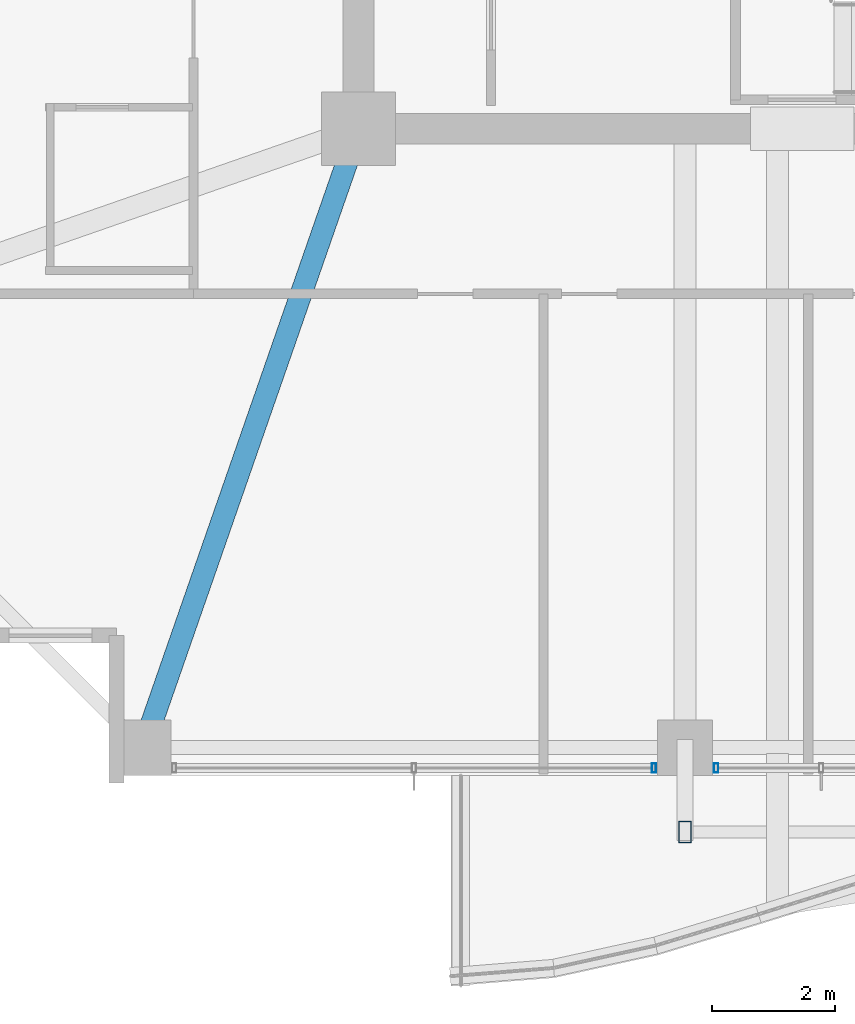
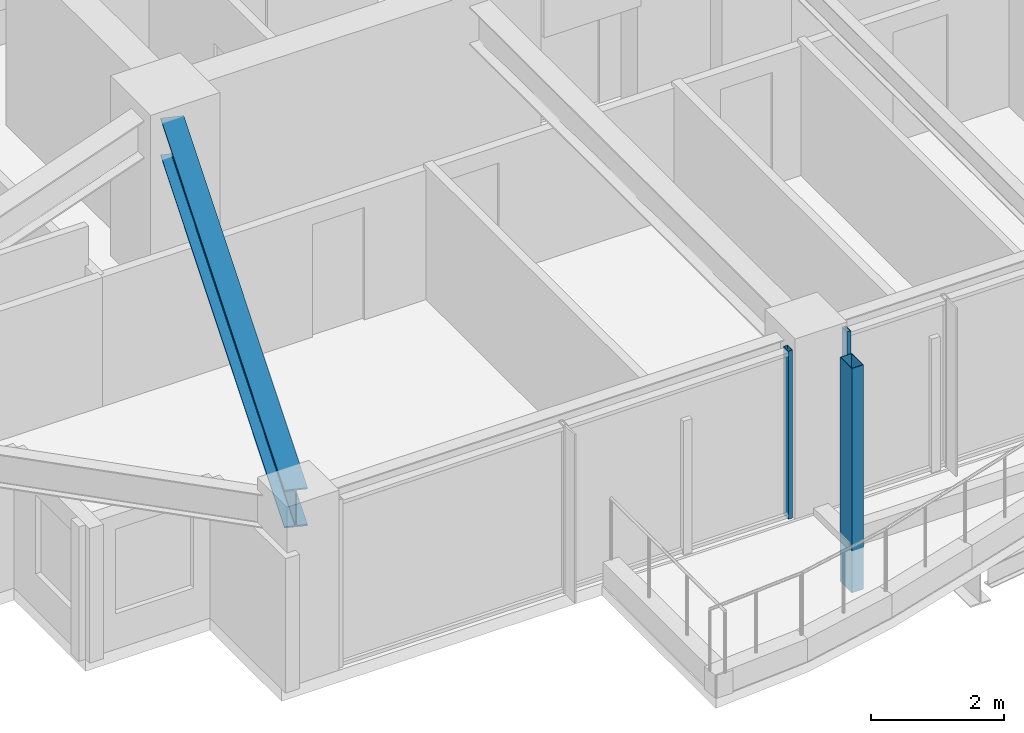
# One storey, part 4 of 37: 3 members, 1 beam, 2 elements without a shape of their own.
"""IFC4 building model written with IfcOpenShell, lengths in metres."""

from ifc_helpers import new_model, si_unit, direction, frame, origin, origin_2d, place, context, subcontext, project, spatial, hollow_rectangle, i_section, extrude, material, material_profile, profile_set, type_object, element, aggregate, save


model = new_model("IFC4")

# Units and contexts
model_context = context("Model", 3, precision=1e-05, world=origin(), true_north=direction((0.0, 1.0)))
body_context = subcontext(model_context, "Body", "Model", "MODEL_VIEW")
ifc_project = project(units=[si_unit("LENGTHUNIT", "METRE"), si_unit("AREAUNIT", "SQUARE_METRE"), si_unit("VOLUMEUNIT", "CUBIC_METRE"), si_unit("PLANEANGLEUNIT", "RADIAN"), si_unit("MASSUNIT", "GRAM", prefix="KILO")], contexts=[model_context])

# Site, building, storey
site_placement = place(None, origin())
site = spatial("IfcSite", under=ifc_project, at=site_placement, CompositionType="ELEMENT")
building_placement = place(site_placement, origin())
building = spatial("IfcBuilding", under=site, at=building_placement, Name="Kolvaren Belvedere", CompositionType="ELEMENT")
storey_placement = place(building_placement, frame((0.0, 0.0, 173.39990234375)))
storey = spatial("IfcBuildingStorey", under=building, at=storey_placement, Name="L50", CompositionType="ELEMENT", Elevation=173.39990234375)

# Beam
ifc_material_1 = material(Name="Structural steel ASTM A992 Grade 50", Category="steel")
ifc_material_profile_1 = material_profile(ifc_material_1, i_section(OverallWidth=0.35498046875, OverallDepth=0.696044921875, WebThickness=0.015380859375, FlangeThickness=0.02490234375, FilletRadius=0.02197265625, at=origin_2d()), Name="W27X146")
ifc_profile_set_1 = profile_set([ifc_material_profile_1], Name="Structural steel ASTM A992 Grade 50")
beam_type = type_object("IfcBeamType", Name="BM-GIRD-W27X146", PredefinedType="BEAM", material=ifc_profile_set_1)
beam_placement = place(storey_placement, frame((-10.080810546875, -10.41943359375, 2.732177734375), z_axis=(-0.328894130701, -0.944366798861, 0.0), x_axis=(0.944366798861, -0.328894130701, 0.0)))
element("IfcBeam", 1, at=beam_placement, inside=storey, type_object=beam_type, Name="L50 Corner Core-to-Perimeter Girder CC1-S1", PredefinedType="BEAM", context=body_context, shape_type="SweptSolid", body=[
    extrude(i_section(OverallWidth=0.35498046875, OverallDepth=0.696044921875, WebThickness=0.015380859375, FlangeThickness=0.02490234375, FilletRadius=0.02197265625, at=origin_2d()), origin(), (0.0, 0.0, 1.0), 9.912109375),
])

# Curtain wall, member
ifc_material_2 = material(Name="Anodised pale-metal aluminium AA 6063-T6", Category="aluminium")
curtain_wall_type = type_object("IfcCurtainWallType", Name="CW-Z5-HIGH", PredefinedType="NOTDEFINED", material=ifc_material_2)
curtain_wall_1_placement = place(storey_placement, origin())
curtain_wall_1 = element("IfcCurtainWall", 2, at=curtain_wall_1_placement, inside=storey, type_object=curtain_wall_type, Name="L50 Unitised Curtain Wall FCW-L50-S2-B1", PredefinedType="NOTDEFINED")
ifc_material_3 = material(Name="Anodised pale-metal aluminium AA 6063-T6", Category="aluminium")
ifc_material_profile_2 = material_profile(ifc_material_3, hollow_rectangle(XDim=0.070068359375, YDim=0.14990234375, WallThickness=0.004150390625, at=origin_2d()), Name="ALU-MUL-150X70")
ifc_profile_set_2 = profile_set([ifc_material_profile_2], Name="Anodised pale-metal aluminium AA 6063-T6")
member_type_1 = type_object("IfcMemberType", Name="CW-MUL-150", PredefinedType="MULLION", material=ifc_profile_set_2)
member_1_placement = place(storey_placement, frame((-4.094970703125, -20.280029296875, 0.0), z_axis=(0.0, 0.0, 1.0), x_axis=(1.0, 0.0, 0.0)))
member_1 = element("IfcMember", 3, at=member_1_placement, type_object=member_type_1, Name="FCW-L50-S2-B1 Unitised Mullion 3", PredefinedType="MULLION", context=body_context, shape_type="SweptSolid", body=[
    extrude(hollow_rectangle(XDim=0.070068359375, YDim=0.14990234375, WallThickness=0.004150390625, at=origin_2d()), origin(), (0.0, 0.0, 1.0), 3.080078125),
])
aggregate(curtain_wall_1, [member_1])

curtain_wall_2_placement = place(storey_placement, origin())
curtain_wall_2 = element("IfcCurtainWall", 4, at=curtain_wall_2_placement, inside=storey, type_object=curtain_wall_type, Name="L50 Unitised Curtain Wall FCW-L50-S2-B2", PredefinedType="NOTDEFINED")
member_2_placement = place(storey_placement, frame((-5.10498046875, -20.280029296875, 0.0), z_axis=(0.0, 0.0, 1.0), x_axis=(1.0, 0.0, 0.0)))
member_2 = element("IfcMember", 5, at=member_2_placement, type_object=member_type_1, Name="FCW-L50-S2-B2 Unitised Mullion 1", PredefinedType="MULLION", context=body_context, shape_type="SweptSolid", body=[
    extrude(hollow_rectangle(XDim=0.070068359375, YDim=0.14990234375, WallThickness=0.004150390625, at=origin_2d()), origin(), (0.0, 0.0, 1.0), 3.080078125),
])
aggregate(curtain_wall_2, [member_2])

# Member
ifc_material_4 = material(Name="Anodised pale-metal aluminium AA 6063-T6", Category="aluminium")
ifc_material_profile_3 = material_profile(ifc_material_4, hollow_rectangle(XDim=0.199951171875, YDim=0.35009765625, WallThickness=0.007568359375, at=origin_2d()), Name="ALU-PF-350X200")
ifc_profile_set_3 = profile_set([ifc_material_profile_3], Name="Anodised pale-metal aluminium AA 6063-T6")
member_type_2 = type_object("IfcMemberType", Name="PF-FRAME-350", PredefinedType="USERDEFINED", material=ifc_profile_set_3)
member_3_placement = place(storey_placement, frame((-4.60009765625, -21.320068359375, -0.809814453125), z_axis=(0.0, 0.0, 1.0), x_axis=(1.0, 0.0, 0.0)))
element("IfcMember", 6, at=member_3_placement, inside=storey, type_object=member_type_2, Name="L50 Outboard Picture-Frame Vertical S2", ObjectType="PICTURE FRAME FIN", PredefinedType="USERDEFINED", context=body_context, shape_type="SweptSolid", body=[
    extrude(hollow_rectangle(XDim=0.199951171875, YDim=0.35009765625, WallThickness=0.007568359375, at=origin_2d()), origin(), (0.0, 0.0, 1.0), 4.10986328125),
])

save(model, "model.ifc")
